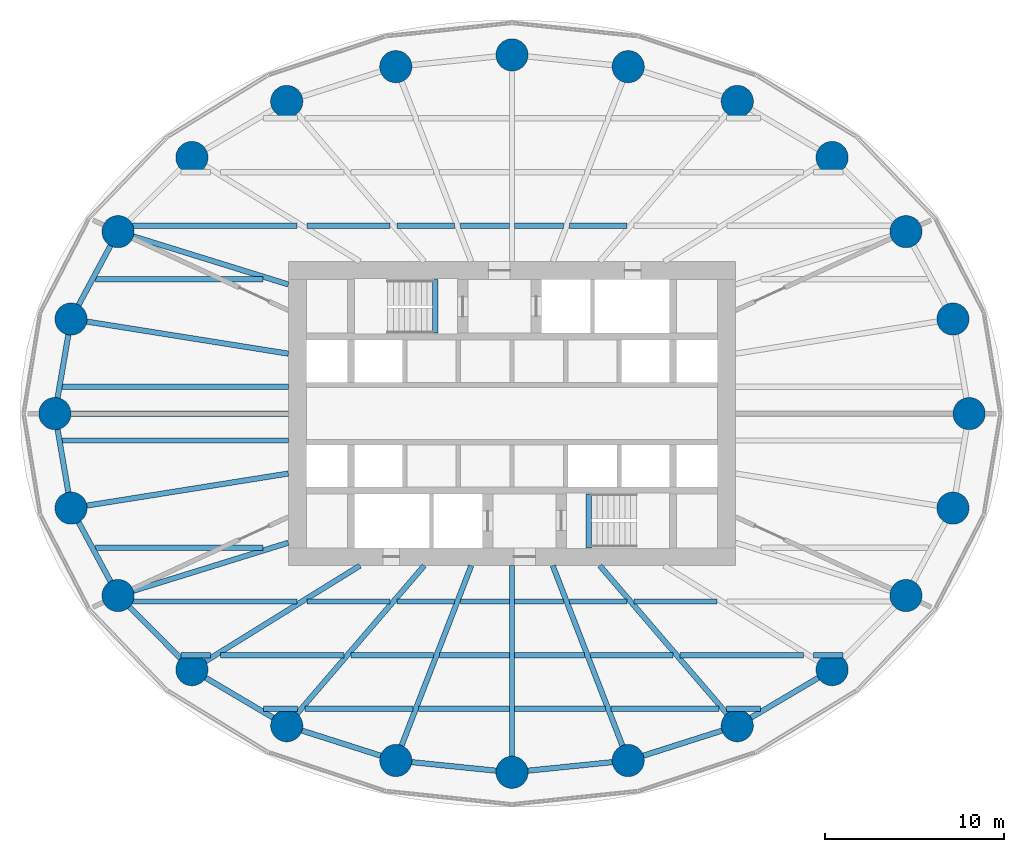
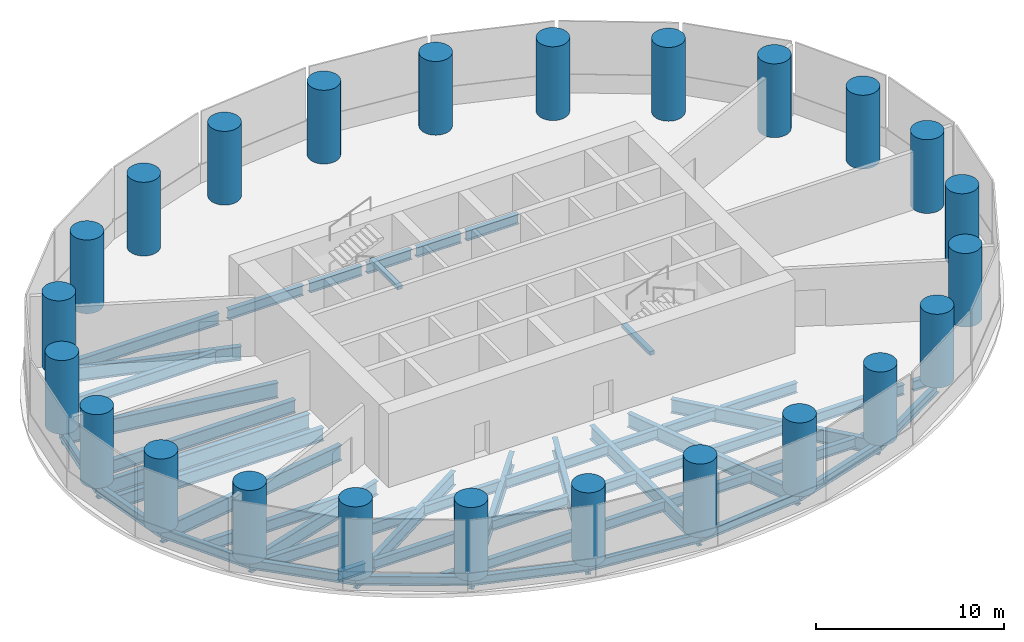
# One storey, part 1 of 5: 55 beams, 24 columns.
"""IFC4 building model written with IfcOpenShell, lengths in metres."""

from ifc_helpers import new_model, si_unit, direction, frame, origin, origin_2d, place, context, subcontext, project, spatial, rectangle, circle, i_section, extrude, material, material_profile, profile_set, type_object, element, save


model = new_model("IFC4")

# Units and contexts
model_context = context("Model", 3, precision=1e-05, world=origin(), true_north=direction((0.0, 1.0)))
body_context = subcontext(model_context, "Body", "Model", "MODEL_VIEW")
ifc_project = project(units=[si_unit("LENGTHUNIT", "METRE"), si_unit("AREAUNIT", "SQUARE_METRE"), si_unit("VOLUMEUNIT", "CUBIC_METRE"), si_unit("PLANEANGLEUNIT", "RADIAN"), si_unit("MASSUNIT", "GRAM", prefix="KILO")], contexts=[model_context])

# Site, building, storey
site_placement = place(None, origin())
site = spatial("IfcSite", under=ifc_project, at=site_placement, CompositionType="ELEMENT")
building_placement = place(site_placement, origin())
building = spatial("IfcBuilding", under=site, at=building_placement, Name="Hankou Lantern Tower", CompositionType="ELEMENT")
storey_placement = place(building_placement, frame((0.0, 0.0, 45.89990234375)))
storey = spatial("IfcBuildingStorey", under=building, at=storey_placement, Name="L10", CompositionType="ELEMENT", Elevation=45.89990234375)

# Columns
ifc_material_1 = material(Name="Concrete C60", Category="concrete")
ifc_material_profile_1 = material_profile(ifc_material_1, circle(Radius=0.89990234375, at=origin_2d()), Name="RC D1800")
ifc_profile_set_1 = profile_set([ifc_material_profile_1], Name="Concrete C60")
column_type = type_object("IfcColumnType", Name="TC1 PERIMETER COLUMN RC D1800", PredefinedType="COLUMN", material=ifc_profile_set_1)
for number, where, z_axis, x_axis, name in (
    (1, (25.550048828125, 0.0, 0.0), (0.0, 0.0, 1.0), (1.0, 0.0, 0.0), "Column R01 L10"),
    (2, (24.64697265625, 5.283203125, 0.0), (0.0, 0.0, 1.0), (1.0, 0.0, 0.0), "Column R02 L10"),
    (3, (22.01904296875, 10.170166015625, 0.0), (0.0, 0.0, 1.0), (1.0, 0.0, 0.0), "Column R03 L10"),
    (4, (17.891845703125, 14.3134765625, 0.0), (0.0, 0.0, 1.0), (1.0, 0.0, 0.0), "Column R04 L10"),
    (5, (12.5908203125, 17.446533203125, 0.0), (0.0, 0.0, 1.0), (1.0, 0.0, 0.0), "Column R05 L10"),
    (6, (6.494873046875, 19.391357421875, 0.0), (0.0, 0.0, 1.0), (1.0, 0.0, 0.0), "Column R06 L10"),
    (7, (0.0, 20.050048828125, 0.0), (0.0, 0.0, 1.0), (1.0, 0.0, 0.0), "Column R07 L10"),
    (8, (-6.494873046875, 19.391357421875, 0.0), (0.0, 0.0, 1.0), (1.0, 0.0, 0.0), "Column R08 L10"),
    (9, (-12.5908203125, 17.446533203125, 0.0), (0.0, 0.0, 1.0), (1.0, 0.0, 0.0), "Column R09 L10"),
    (10, (-17.891845703125, 14.3134765625, 0.0), (0.0, 0.0, 1.0), (1.0, 0.0, 0.0), "Column R10 L10"),
    (11, (-22.01904296875, 10.170166015625, 0.0), (0.0, 0.0, 1.0), (1.0, 0.0, 0.0), "Column R11 L10"),
    (12, (-24.64697265625, 5.283203125, 0.0), (0.0, 0.0, 1.0), (1.0, 0.0, 0.0), "Column R12 L10"),
    (13, (-25.550048828125, 0.0, 0.0), (0.0, 0.0, 1.0), (1.0, 0.0, 0.0), "Column R13 L10"),
    (14, (-24.64697265625, -5.283203125, 0.0), (0.0, 0.0, 1.0), (1.0, 0.0, 0.0), "Column R14 L10"),
    (15, (-22.01904296875, -10.170166015625, 0.0), (0.0, 0.0, 1.0), (1.0, 0.0, 0.0), "Column R15 L10"),
    (16, (-17.891845703125, -14.3134765625, 0.0), (0.0, 0.0, 1.0), (1.0, 0.0, 0.0), "Column R16 L10"),
    (17, (-12.5908203125, -17.446533203125, 0.0), (0.0, 0.0, 1.0), (1.0, 0.0, 0.0), "Column R17 L10"),
    (18, (-6.494873046875, -19.391357421875, 0.0), (0.0, 0.0, 1.0), (1.0, 0.0, 0.0), "Column R18 L10"),
    (19, (0.0, -20.050048828125, 0.0), (0.0, 0.0, 1.0), (1.0, 0.0, 0.0), "Column R19 L10"),
    (20, (6.494873046875, -19.391357421875, 0.0), (0.0, 0.0, 1.0), (1.0, 0.0, 0.0), "Column R20 L10"),
    (21, (12.5908203125, -17.446533203125, 0.0), (0.0, 0.0, 1.0), (1.0, 0.0, 0.0), "Column R21 L10"),
    (22, (17.891845703125, -14.3134765625, 0.0), (0.0, 0.0, 1.0), (1.0, 0.0, 0.0), "Column R22 L10"),
    (23, (22.01904296875, -10.170166015625, 0.0), (0.0, 0.0, 1.0), (1.0, 0.0, 0.0), "Column R23 L10"),
    (24, (24.64697265625, -5.283203125, 0.0), (0.0, 0.0, 1.0), (1.0, 0.0, 0.0), "Column R24 L10"),
):
    element("IfcColumn", number, at=place(storey_placement, frame(where, z_axis=z_axis, x_axis=x_axis)), inside=storey, type_object=column_type, Name=name, PredefinedType="COLUMN", context=body_context, shape_type="SweptSolid", body=[
        extrude(circle(Radius=0.89990234375, at=origin_2d()), origin(), (0.0, 0.0, 1.0), 4.800048828125),
    ])

# Beams
ifc_material_2 = material(Name="Steel Q355B", Category="steel")
ifc_material_profile_2 = material_profile(ifc_material_2, i_section(OverallWidth=0.302001953125, OverallDepth=0.593994140625, WebThickness=0.013916015625, FlangeThickness=0.02294921875, FilletRadius=0.02197265625, at=origin_2d()), Name="HM594x302x14x23")
ifc_profile_set_2 = profile_set([ifc_material_profile_2], Name="Steel Q355B")
beam_type_1 = type_object("IfcBeamType", Name="EB15 RING BEAM HM594x302x14x23", PredefinedType="SPANDREL", material=ifc_profile_set_2)
beam_1_placement = place(storey_placement, frame((-22.01904296875, 10.170166015625, -0.546875), z_axis=(-0.473609096023, -0.880735161194, 0.0), x_axis=(0.880735161194, -0.473609096023, 0.0)))
element("IfcBeam", 25, at=beam_1_placement, inside=storey, type_object=beam_type_1, Name="Ring beam R11-R12 L10", PredefinedType="SPANDREL", context=body_context, shape_type="SweptSolid", body=[
    extrude(i_section(OverallWidth=0.302001953125, OverallDepth=0.593994140625, WebThickness=0.013916015625, FlangeThickness=0.02294921875, FilletRadius=0.02197265625, at=origin_2d()), origin(), (0.0, 0.0, 1.0), 5.548828125),
])
for number, where, z_axis, x_axis, name in (
    (26, (-24.64697265625, 5.283203125, -0.546875), (-0.168489691988, -0.985703415685, 0.0), (0.985703415685, -0.168489691988, 0.0), "Ring beam R12-R13 L10"),
    (27, (-25.550048828125, 0.0, -0.546875), (0.168489691988, -0.985703415685, 0.0), (0.985703415685, 0.168489691988, 0.0), "Ring beam R13-R14 L10"),
):
    element("IfcBeam", number, at=place(storey_placement, frame(where, z_axis=z_axis, x_axis=x_axis)), inside=storey, type_object=beam_type_1, Name=name, PredefinedType="SPANDREL", context=body_context, shape_type="SweptSolid", body=[
        extrude(i_section(OverallWidth=0.302001953125, OverallDepth=0.593994140625, WebThickness=0.013916015625, FlangeThickness=0.02294921875, FilletRadius=0.02197265625, at=origin_2d()), origin(), (0.0, 0.0, 1.0), 5.35986328125),
    ])
beam_2_placement = place(storey_placement, frame((-24.64697265625, -5.283203125, -0.546875), z_axis=(0.473609096023, -0.880735161194, 0.0), x_axis=(0.880735161194, 0.473609096023, 0.0)))
element("IfcBeam", 28, at=beam_2_placement, inside=storey, type_object=beam_type_1, Name="Ring beam R14-R15 L10", PredefinedType="SPANDREL", context=body_context, shape_type="SweptSolid", body=[
    extrude(i_section(OverallWidth=0.302001953125, OverallDepth=0.593994140625, WebThickness=0.013916015625, FlangeThickness=0.02294921875, FilletRadius=0.02197265625, at=origin_2d()), origin(), (0.0, 0.0, 1.0), 5.548828125),
])
beam_3_placement = place(storey_placement, frame((-22.01904296875, -10.170166015625, -0.546875), z_axis=(0.705727798394, -0.708483079949, 0.0), x_axis=(0.708483079949, 0.705727798394, 0.0)))
element("IfcBeam", 29, at=beam_3_placement, inside=storey, type_object=beam_type_1, Name="Ring beam R15-R16 L10", PredefinedType="SPANDREL", context=body_context, shape_type="SweptSolid", body=[
    extrude(i_section(OverallWidth=0.302001953125, OverallDepth=0.593994140625, WebThickness=0.013916015625, FlangeThickness=0.02294921875, FilletRadius=0.02197265625, at=origin_2d()), origin(), (0.0, 0.0, 1.0), 5.84814453125),
])
beam_4_placement = place(storey_placement, frame((-17.891845703125, -14.3134765625, -0.546875), z_axis=(0.860881533543, -0.508805449268, 0.0), x_axis=(0.508805449268, 0.860881533543, 0.0)))
element("IfcBeam", 30, at=beam_4_placement, inside=storey, type_object=beam_type_1, Name="Ring beam R16-R17 L10", PredefinedType="SPANDREL", context=body_context, shape_type="SweptSolid", body=[
    extrude(i_section(OverallWidth=0.302001953125, OverallDepth=0.593994140625, WebThickness=0.013916015625, FlangeThickness=0.02294921875, FilletRadius=0.02197265625, at=origin_2d()), origin(), (0.0, 0.0, 1.0), 6.15771484375),
])
beam_5_placement = place(storey_placement, frame((-12.5908203125, -17.446533203125, -0.546875), z_axis=(0.952690479428, -0.303942182671, 0.0), x_axis=(0.303942182671, 0.952690479428, 0.0)))
element("IfcBeam", 31, at=beam_5_placement, inside=storey, type_object=beam_type_1, Name="Ring beam R17-R18 L10", PredefinedType="SPANDREL", context=body_context, shape_type="SweptSolid", body=[
    extrude(i_section(OverallWidth=0.302001953125, OverallDepth=0.593994140625, WebThickness=0.013916015625, FlangeThickness=0.02294921875, FilletRadius=0.02197265625, at=origin_2d()), origin(), (0.0, 0.0, 1.0), 6.398681640625),
])
for number, where, z_axis, x_axis, name in (
    (32, (-6.494873046875, -19.391357421875, -0.546875), (0.994896616842, -0.100899562915, 0.0), (0.100899562915, 0.994896616842, 0.0), "Ring beam R18-R19 L10"),
    (33, (0.0, -20.050048828125, -0.546875), (0.994896616842, 0.100899562915, 0.0), (-0.100899562915, 0.994896616842, 0.0), "Ring beam R19-R20 L10"),
):
    element("IfcBeam", number, at=place(storey_placement, frame(where, z_axis=z_axis, x_axis=x_axis)), inside=storey, type_object=beam_type_1, Name=name, PredefinedType="SPANDREL", context=body_context, shape_type="SweptSolid", body=[
        extrude(i_section(OverallWidth=0.302001953125, OverallDepth=0.593994140625, WebThickness=0.013916015625, FlangeThickness=0.02294921875, FilletRadius=0.02197265625, at=origin_2d()), origin(), (0.0, 0.0, 1.0), 6.528076171875),
    ])
beam_6_placement = place(storey_placement, frame((6.494873046875, -19.391357421875, -0.546875), z_axis=(0.952690479428, 0.303942182671, 0.0), x_axis=(-0.303942182671, 0.952690479428, 0.0)))
element("IfcBeam", 34, at=beam_6_placement, inside=storey, type_object=beam_type_1, Name="Ring beam R20-R21 L10", PredefinedType="SPANDREL", context=body_context, shape_type="SweptSolid", body=[
    extrude(i_section(OverallWidth=0.302001953125, OverallDepth=0.593994140625, WebThickness=0.013916015625, FlangeThickness=0.02294921875, FilletRadius=0.02197265625, at=origin_2d()), origin(), (0.0, 0.0, 1.0), 6.398681640625),
])
beam_7_placement = place(storey_placement, frame((12.5908203125, -17.446533203125, -0.546875), z_axis=(0.860881533543, 0.508805449268, 0.0), x_axis=(-0.508805449268, 0.860881533543, 0.0)))
element("IfcBeam", 35, at=beam_7_placement, inside=storey, type_object=beam_type_1, Name="Ring beam R21-R22 L10", PredefinedType="SPANDREL", context=body_context, shape_type="SweptSolid", body=[
    extrude(i_section(OverallWidth=0.302001953125, OverallDepth=0.593994140625, WebThickness=0.013916015625, FlangeThickness=0.02294921875, FilletRadius=0.02197265625, at=origin_2d()), origin(), (0.0, 0.0, 1.0), 6.15771484375),
])
ifc_material_3 = material(Name="Concrete C40", Category="concrete")
ifc_material_profile_3 = material_profile(ifc_material_3, rectangle(XDim=0.300048828125, YDim=0.25, at=origin_2d()), Name="RC 300x250")
ifc_profile_set_3 = profile_set([ifc_material_profile_3], Name="Concrete C40")
beam_type_2 = type_object("IfcBeamType", Name="LB1 STAIR LANDING BEAM RC 300x250", PredefinedType="BEAM", material=ifc_profile_set_3)
for number, where, z_axis, x_axis, name in (
    (36, (-4.300048828125, 4.5, 2.275146484375), (0.0, 1.0, 0.0), (-1.0, 0.0, 0.0), "Stair STA landing beam L10"),
    (37, (4.300048828125, -4.5, 2.275146484375), (0.0, -1.0, 0.0), (1.0, 0.0, 0.0), "Stair STB landing beam L10"),
):
    element("IfcBeam", number, at=place(storey_placement, frame(where, z_axis=z_axis, x_axis=x_axis)), inside=storey, type_object=beam_type_2, Name=name, PredefinedType="BEAM", context=body_context, shape_type="SweptSolid", body=[
        extrude(rectangle(XDim=0.300048828125, YDim=0.25, at=origin_2d()), origin(), (0.0, 0.0, 1.0), 3.0),
    ])
ifc_material_4 = material(Name="Steel Q355B", Category="steel")
ifc_material_profile_4 = material_profile(ifc_material_4, i_section(OverallWidth=0.300048828125, OverallDepth=0.89990234375, WebThickness=0.01611328125, FlangeThickness=0.028076171875, FilletRadius=0.01806640625, at=origin_2d()), Name="HN900x300x16x28")
ifc_profile_set_4 = profile_set([ifc_material_profile_4], Name="Steel Q355B")
beam_type_3 = type_object("IfcBeamType", Name="RB13 RADIAL BEAM HN900x300x16x28", PredefinedType="BEAM", material=ifc_profile_set_4)
for number, where, z_axis, x_axis, name in (
    (38, (-12.5, 7.216796875, -0.699951171875), (-0.955087327755, 0.29632447817, 0.0), (-0.29632447817, -0.955087327755, 0.0), "Radial beam R11 L10"),
    (39, (-12.5, -7.216796875, -0.699951171875), (-0.955087327755, -0.29632447817, 0.0), (0.29632447817, -0.955087327755, 0.0), "Radial beam R15 L10"),
):
    element("IfcBeam", number, at=place(storey_placement, frame(where, z_axis=z_axis, x_axis=x_axis)), inside=storey, type_object=beam_type_3, Name=name, PredefinedType="BEAM", context=body_context, shape_type="SweptSolid", body=[
        extrude(i_section(OverallWidth=0.300048828125, OverallDepth=0.89990234375, WebThickness=0.01611328125, FlangeThickness=0.028076171875, FilletRadius=0.01806640625, at=origin_2d()), origin(), (0.0, 0.0, 1.0), 9.966552734375),
    ])
beam_8_placement = place(storey_placement, frame((-8.5, -8.5, -0.699951171875), z_axis=(-0.850286343288, -0.526320372414, 0.0), x_axis=(0.526320372414, -0.850286343288, 0.0)))
element("IfcBeam", 40, at=beam_8_placement, inside=storey, type_object=beam_type_3, Name="Radial beam R16 L10", PredefinedType="BEAM", context=body_context, shape_type="SweptSolid", body=[
    extrude(i_section(OverallWidth=0.300048828125, OverallDepth=0.89990234375, WebThickness=0.01611328125, FlangeThickness=0.028076171875, FilletRadius=0.01806640625, at=origin_2d()), origin(), (0.0, 0.0, 1.0), 11.04541015625),
])
beam_9_placement = place(storey_placement, frame((-4.907470703125, -8.5, -0.699951171875), z_axis=(-0.651519061225, -0.758632264579, 0.0), x_axis=(0.758632264579, -0.651519061225, 0.0)))
element("IfcBeam", 41, at=beam_9_placement, inside=storey, type_object=beam_type_3, Name="Radial beam R17 L10", PredefinedType="BEAM", context=body_context, shape_type="SweptSolid", body=[
    extrude(i_section(OverallWidth=0.300048828125, OverallDepth=0.89990234375, WebThickness=0.01611328125, FlangeThickness=0.028076171875, FilletRadius=0.01806640625, at=origin_2d()), origin(), (0.0, 0.0, 1.0), 11.79296875),
])
beam_10_placement = place(storey_placement, frame((-2.277587890625, -8.5, -0.699951171875), z_axis=(-0.361089103374, -0.932531318201, 0.0), x_axis=(0.932531318201, -0.361089103374, 0.0)))
element("IfcBeam", 42, at=beam_10_placement, inside=storey, type_object=beam_type_3, Name="Radial beam R18 L10", PredefinedType="BEAM", context=body_context, shape_type="SweptSolid", body=[
    extrude(i_section(OverallWidth=0.300048828125, OverallDepth=0.89990234375, WebThickness=0.01611328125, FlangeThickness=0.028076171875, FilletRadius=0.01806640625, at=origin_2d()), origin(), (0.0, 0.0, 1.0), 11.679443359375),
])
beam_11_placement = place(storey_placement, frame((0.0, -8.5, -0.699951171875), z_axis=(0.0, -1.0, 0.0), x_axis=(1.0, 0.0, 0.0)))
element("IfcBeam", 43, at=beam_11_placement, inside=storey, type_object=beam_type_3, Name="Radial beam R19 L10", PredefinedType="BEAM", context=body_context, shape_type="SweptSolid", body=[
    extrude(i_section(OverallWidth=0.300048828125, OverallDepth=0.89990234375, WebThickness=0.01611328125, FlangeThickness=0.028076171875, FilletRadius=0.01806640625, at=origin_2d()), origin(), (0.0, 0.0, 1.0), 11.550048828125),
])
beam_12_placement = place(storey_placement, frame((2.277587890625, -8.5, -0.699951171875), z_axis=(0.361089103374, -0.932531318201, 0.0), x_axis=(0.932531318201, 0.361089103374, 0.0)))
element("IfcBeam", 44, at=beam_12_placement, inside=storey, type_object=beam_type_3, Name="Radial beam R20 L10", PredefinedType="BEAM", context=body_context, shape_type="SweptSolid", body=[
    extrude(i_section(OverallWidth=0.300048828125, OverallDepth=0.89990234375, WebThickness=0.01611328125, FlangeThickness=0.028076171875, FilletRadius=0.01806640625, at=origin_2d()), origin(), (0.0, 0.0, 1.0), 11.679443359375),
])
beam_13_placement = place(storey_placement, frame((4.907470703125, -8.5, -0.699951171875), z_axis=(0.651519061225, -0.758632264579, 0.0), x_axis=(0.758632264579, 0.651519061225, 0.0)))
element("IfcBeam", 45, at=beam_13_placement, inside=storey, type_object=beam_type_3, Name="Radial beam R21 L10", PredefinedType="BEAM", context=body_context, shape_type="SweptSolid", body=[
    extrude(i_section(OverallWidth=0.300048828125, OverallDepth=0.89990234375, WebThickness=0.01611328125, FlangeThickness=0.028076171875, FilletRadius=0.01806640625, at=origin_2d()), origin(), (0.0, 0.0, 1.0), 11.79296875),
])
ifc_material_5 = material(Name="Steel Q355B", Category="steel")
ifc_material_profile_5 = material_profile(ifc_material_5, i_section(OverallWidth=0.300048828125, OverallDepth=1.0, WebThickness=0.01904296875, FlangeThickness=0.035888671875, FilletRadius=0.01806640625, at=origin_2d()), Name="HN1000x300x19x36")
ifc_profile_set_5 = profile_set([ifc_material_profile_5], Name="Steel Q355B")
beam_type_4 = type_object("IfcBeamType", Name="RB22 RADIAL BEAM HN1000x300x19x36", PredefinedType="BEAM", material=ifc_profile_set_5)
beam_14_placement = place(storey_placement, frame((-12.5, 3.349365234375, -0.75), z_axis=(-0.987563081343, 0.157223281893, 0.0), x_axis=(-0.157223281893, -0.987563081343, 0.0)))
element("IfcBeam", 46, at=beam_14_placement, inside=storey, type_object=beam_type_4, Name="Radial beam R12 L10", PredefinedType="BEAM", context=body_context, shape_type="SweptSolid", body=[
    extrude(i_section(OverallWidth=0.300048828125, OverallDepth=1.0, WebThickness=0.01904296875, FlangeThickness=0.035888671875, FilletRadius=0.01806640625, at=origin_2d()), origin(), (0.0, 0.0, 1.0), 12.300048828125),
])
beam_15_placement = place(storey_placement, frame((-12.5, 0.0, -0.75), z_axis=(-1.0, 0.0, 0.0), x_axis=(0.0, -1.0, 0.0)))
element("IfcBeam", 47, at=beam_15_placement, inside=storey, type_object=beam_type_4, Name="Radial beam R13 L10", PredefinedType="BEAM", context=body_context, shape_type="SweptSolid", body=[
    extrude(i_section(OverallWidth=0.300048828125, OverallDepth=1.0, WebThickness=0.01904296875, FlangeThickness=0.035888671875, FilletRadius=0.01806640625, at=origin_2d()), origin(), (0.0, 0.0, 1.0), 13.050048828125),
])
beam_16_placement = place(storey_placement, frame((-12.5, -3.349365234375, -0.75), z_axis=(-0.987563081343, -0.157223281893, 0.0), x_axis=(0.157223281893, -0.987563081343, 0.0)))
element("IfcBeam", 48, at=beam_16_placement, inside=storey, type_object=beam_type_4, Name="Radial beam R14 L10", PredefinedType="BEAM", context=body_context, shape_type="SweptSolid", body=[
    extrude(i_section(OverallWidth=0.300048828125, OverallDepth=1.0, WebThickness=0.01904296875, FlangeThickness=0.035888671875, FilletRadius=0.01806640625, at=origin_2d()), origin(), (0.0, 0.0, 1.0), 12.300048828125),
])
ifc_material_6 = material(Name="Steel Q355B", Category="steel")
ifc_material_profile_6 = material_profile(ifc_material_6, i_section(OverallWidth=0.300048828125, OverallDepth=0.75, WebThickness=0.012939453125, FlangeThickness=0.02392578125, FilletRadius=0.01806640625, at=origin_2d()), Name="HN750x300x13x24")
ifc_profile_set_6 = profile_set([ifc_material_profile_6], Name="Steel Q355B")
beam_type_5 = type_object("IfcBeamType", Name="SB10 SECONDARY BEAM HN750x300x13x24", PredefinedType="JOIST", material=ifc_profile_set_6)
beam_17_placement = place(storey_placement, frame((-21.477294921875, -10.5, -0.625), z_axis=(1.0, 0.0, 0.0), x_axis=(0.0, 1.0, 0.0)))
element("IfcBeam", 49, at=beam_17_placement, inside=storey, type_object=beam_type_5, Name="Floor joist J015 L10", PredefinedType="JOIST", context=body_context, shape_type="SweptSolid", body=[
    extrude(i_section(OverallWidth=0.300048828125, OverallDepth=0.75, WebThickness=0.012939453125, FlangeThickness=0.02392578125, FilletRadius=0.01806640625, at=origin_2d()), origin(), (0.0, 0.0, 1.0), 9.461181640625),
])
for number, where, z_axis, x_axis, name in (
    (50, (-23.283447265625, -7.5, -0.625), (1.0, 0.0, 0.0), (0.0, 1.0, 0.0), "Floor joist J023 L10"),
    (51, (-23.283447265625, 7.5, -0.625), (1.0, 0.0, 0.0), (0.0, 1.0, 0.0), "Floor joist J037 L10"),
):
    element("IfcBeam", number, at=place(storey_placement, frame(where, z_axis=z_axis, x_axis=x_axis)), inside=storey, type_object=beam_type_5, Name=name, PredefinedType="JOIST", context=body_context, shape_type="SweptSolid", body=[
        extrude(i_section(OverallWidth=0.300048828125, OverallDepth=0.75, WebThickness=0.012939453125, FlangeThickness=0.02392578125, FilletRadius=0.01806640625, at=origin_2d()), origin(), (0.0, 0.0, 1.0), 9.36474609375),
    ])
beam_18_placement = place(storey_placement, frame((-21.477294921875, 10.5, -0.625), z_axis=(1.0, 0.0, 0.0), x_axis=(0.0, 1.0, 0.0)))
element("IfcBeam", 52, at=beam_18_placement, inside=storey, type_object=beam_type_5, Name="Floor joist J039 L10", PredefinedType="JOIST", context=body_context, shape_type="SweptSolid", body=[
    extrude(i_section(OverallWidth=0.300048828125, OverallDepth=0.75, WebThickness=0.012939453125, FlangeThickness=0.02392578125, FilletRadius=0.01806640625, at=origin_2d()), origin(), (0.0, 0.0, 1.0), 9.461181640625),
])
ifc_material_7 = material(Name="Steel Q355B", Category="steel")
ifc_material_profile_7 = material_profile(ifc_material_7, i_section(OverallWidth=0.300048828125, OverallDepth=0.85009765625, WebThickness=0.01611328125, FlangeThickness=0.027099609375, FilletRadius=0.01806640625, at=origin_2d()), Name="HN850x300x16x27")
ifc_profile_set_7 = profile_set([ifc_material_profile_7], Name="Steel Q355B")
beam_type_6 = type_object("IfcBeamType", Name="SB12 SECONDARY BEAM HN850x300x16x27", PredefinedType="JOIST", material=ifc_profile_set_7)
for number, where, z_axis, x_axis, name in (
    (53, (-25.140380859375, -1.5, -0.6748046875), (1.0, 0.0, 0.0), (0.0, 1.0, 0.0), "Floor joist J029 L10"),
    (54, (-25.140380859375, 1.5, -0.6748046875), (1.0, 0.0, 0.0), (0.0, 1.0, 0.0), "Floor joist J031 L10"),
):
    element("IfcBeam", number, at=place(storey_placement, frame(where, z_axis=z_axis, x_axis=x_axis)), inside=storey, type_object=beam_type_6, Name=name, PredefinedType="JOIST", context=body_context, shape_type="SweptSolid", body=[
        extrude(i_section(OverallWidth=0.300048828125, OverallDepth=0.85009765625, WebThickness=0.01611328125, FlangeThickness=0.027099609375, FilletRadius=0.01806640625, at=origin_2d()), origin(), (0.0, 0.0, 1.0), 12.640380859375),
    ])
ifc_material_8 = material(Name="Steel Q355B", Category="steel")
ifc_material_profile_8 = material_profile(ifc_material_8, i_section(OverallWidth=0.300048828125, OverallDepth=0.64990234375, WebThickness=0.010986328125, FlangeThickness=0.01708984375, FilletRadius=0.01806640625, at=origin_2d()), Name="HN650x300x11x17")
ifc_profile_set_8 = profile_set([ifc_material_profile_8], Name="Steel Q355B")
beam_type_7 = type_object("IfcBeamType", Name="SB8 SECONDARY BEAM HN650x300x11x17", PredefinedType="JOIST", material=ifc_profile_set_8)
beam_19_placement = place(storey_placement, frame((-13.8955078125, -16.5, -0.574951171875), z_axis=(1.0, 0.0, 0.0), x_axis=(0.0, 1.0, 0.0)))
element("IfcBeam", 55, at=beam_19_placement, inside=storey, type_object=beam_type_7, Name="Floor joist J001 L10", PredefinedType="JOIST", context=body_context, shape_type="SweptSolid", body=[
    extrude(i_section(OverallWidth=0.300048828125, OverallDepth=0.64990234375, WebThickness=0.010986328125, FlangeThickness=0.01708984375, FilletRadius=0.01806640625, at=origin_2d()), origin(), (0.0, 0.0, 1.0), 1.919677734375),
])
beam_20_placement = place(storey_placement, frame((-11.580322265625, -16.5, -0.574951171875), z_axis=(1.0, 0.0, 0.0), x_axis=(0.0, 1.0, 0.0)))
element("IfcBeam", 56, at=beam_20_placement, inside=storey, type_object=beam_type_7, Name="Floor joist J002 L10", PredefinedType="JOIST", context=body_context, shape_type="SweptSolid", body=[
    extrude(i_section(OverallWidth=0.300048828125, OverallDepth=0.64990234375, WebThickness=0.010986328125, FlangeThickness=0.01708984375, FilletRadius=0.01806640625, at=origin_2d()), origin(), (0.0, 0.0, 1.0), 6.044189453125),
])
for number, where, z_axis, x_axis, name in (
    (57, (-5.21435546875, -16.5, -0.574951171875), (1.0, 0.0, 0.0), (0.0, 1.0, 0.0), "Floor joist J003 L10"),
    (58, (0.14990234375, -16.5, -0.574951171875), (1.0, 0.0, 0.0), (0.0, 1.0, 0.0), "Floor joist J004 L10"),
):
    element("IfcBeam", number, at=place(storey_placement, frame(where, z_axis=z_axis, x_axis=x_axis)), inside=storey, type_object=beam_type_7, Name=name, PredefinedType="JOIST", context=body_context, shape_type="SweptSolid", body=[
        extrude(i_section(OverallWidth=0.300048828125, OverallDepth=0.64990234375, WebThickness=0.010986328125, FlangeThickness=0.01708984375, FilletRadius=0.01806640625, at=origin_2d()), origin(), (0.0, 0.0, 1.0), 5.064453125),
    ])
beam_21_placement = place(storey_placement, frame((5.5361328125, -16.5, -0.574951171875), z_axis=(1.0, 0.0, 0.0), x_axis=(0.0, 1.0, 0.0)))
element("IfcBeam", 59, at=beam_21_placement, inside=storey, type_object=beam_type_7, Name="Floor joist J005 L10", PredefinedType="JOIST", context=body_context, shape_type="SweptSolid", body=[
    extrude(i_section(OverallWidth=0.300048828125, OverallDepth=0.64990234375, WebThickness=0.010986328125, FlangeThickness=0.01708984375, FilletRadius=0.01806640625, at=origin_2d()), origin(), (0.0, 0.0, 1.0), 6.044189453125),
])
beam_22_placement = place(storey_placement, frame((11.975830078125, -16.5, -0.574951171875), z_axis=(1.0, 0.0, 0.0), x_axis=(0.0, 1.0, 0.0)))
element("IfcBeam", 60, at=beam_22_placement, inside=storey, type_object=beam_type_7, Name="Floor joist J006 L10", PredefinedType="JOIST", context=body_context, shape_type="SweptSolid", body=[
    extrude(i_section(OverallWidth=0.300048828125, OverallDepth=0.64990234375, WebThickness=0.010986328125, FlangeThickness=0.01708984375, FilletRadius=0.01806640625, at=origin_2d()), origin(), (0.0, 0.0, 1.0), 1.919677734375),
])
beam_23_placement = place(storey_placement, frame((-18.48876953125, -13.5, -0.574951171875), z_axis=(1.0, 0.0, 0.0), x_axis=(0.0, 1.0, 0.0)))
element("IfcBeam", 61, at=beam_23_placement, inside=storey, type_object=beam_type_7, Name="Floor joist J007 L10", PredefinedType="JOIST", context=body_context, shape_type="SweptSolid", body=[
    extrude(i_section(OverallWidth=0.300048828125, OverallDepth=0.64990234375, WebThickness=0.010986328125, FlangeThickness=0.01708984375, FilletRadius=0.01806640625, at=origin_2d()), origin(), (0.0, 0.0, 1.0), 1.6259765625),
])
beam_24_placement = place(storey_placement, frame((-16.292724609375, -13.5, -0.574951171875), z_axis=(1.0, 0.0, 0.0), x_axis=(0.0, 1.0, 0.0)))
element("IfcBeam", 62, at=beam_24_placement, inside=storey, type_object=beam_type_7, Name="Floor joist J008 L10", PredefinedType="JOIST", context=body_context, shape_type="SweptSolid", body=[
    extrude(i_section(OverallWidth=0.300048828125, OverallDepth=0.64990234375, WebThickness=0.010986328125, FlangeThickness=0.01708984375, FilletRadius=0.01806640625, at=origin_2d()), origin(), (0.0, 0.0, 1.0), 6.893310546875),
])
beam_25_placement = place(storey_placement, frame((-9.00390625, -13.5, -0.574951171875), z_axis=(1.0, 0.0, 0.0), x_axis=(0.0, 1.0, 0.0)))
element("IfcBeam", 63, at=beam_25_placement, inside=storey, type_object=beam_type_7, Name="Floor joist J009 L10", PredefinedType="JOIST", context=body_context, shape_type="SweptSolid", body=[
    extrude(i_section(OverallWidth=0.300048828125, OverallDepth=0.64990234375, WebThickness=0.010986328125, FlangeThickness=0.01708984375, FilletRadius=0.01806640625, at=origin_2d()), origin(), (0.0, 0.0, 1.0), 4.62939453125),
])
for number, where, z_axis, x_axis, name in (
    (64, (-4.052734375, -13.5, -0.574951171875), (1.0, 0.0, 0.0), (0.0, 1.0, 0.0), "Floor joist J010 L10"),
    (65, (0.14990234375, -13.5, -0.574951171875), (1.0, 0.0, 0.0), (0.0, 1.0, 0.0), "Floor joist J011 L10"),
):
    element("IfcBeam", number, at=place(storey_placement, frame(where, z_axis=z_axis, x_axis=x_axis)), inside=storey, type_object=beam_type_7, Name=name, PredefinedType="JOIST", context=body_context, shape_type="SweptSolid", body=[
        extrude(i_section(OverallWidth=0.300048828125, OverallDepth=0.64990234375, WebThickness=0.010986328125, FlangeThickness=0.01708984375, FilletRadius=0.01806640625, at=origin_2d()), origin(), (0.0, 0.0, 1.0), 3.90283203125),
    ])
beam_26_placement = place(storey_placement, frame((4.37451171875, -13.5, -0.574951171875), z_axis=(1.0, 0.0, 0.0), x_axis=(0.0, 1.0, 0.0)))
element("IfcBeam", 66, at=beam_26_placement, inside=storey, type_object=beam_type_7, Name="Floor joist J012 L10", PredefinedType="JOIST", context=body_context, shape_type="SweptSolid", body=[
    extrude(i_section(OverallWidth=0.300048828125, OverallDepth=0.64990234375, WebThickness=0.010986328125, FlangeThickness=0.01708984375, FilletRadius=0.01806640625, at=origin_2d()), origin(), (0.0, 0.0, 1.0), 4.62939453125),
])
beam_27_placement = place(storey_placement, frame((9.3994140625, -13.5, -0.574951171875), z_axis=(1.0, 0.0, 0.0), x_axis=(0.0, 1.0, 0.0)))
element("IfcBeam", 67, at=beam_27_placement, inside=storey, type_object=beam_type_7, Name="Floor joist J013 L10", PredefinedType="JOIST", context=body_context, shape_type="SweptSolid", body=[
    extrude(i_section(OverallWidth=0.300048828125, OverallDepth=0.64990234375, WebThickness=0.010986328125, FlangeThickness=0.01708984375, FilletRadius=0.01806640625, at=origin_2d()), origin(), (0.0, 0.0, 1.0), 6.893310546875),
])
beam_28_placement = place(storey_placement, frame((16.86279296875, -13.5, -0.574951171875), z_axis=(1.0, 0.0, 0.0), x_axis=(0.0, 1.0, 0.0)))
element("IfcBeam", 68, at=beam_28_placement, inside=storey, type_object=beam_type_7, Name="Floor joist J014 L10", PredefinedType="JOIST", context=body_context, shape_type="SweptSolid", body=[
    extrude(i_section(OverallWidth=0.300048828125, OverallDepth=0.64990234375, WebThickness=0.010986328125, FlangeThickness=0.01708984375, FilletRadius=0.01806640625, at=origin_2d()), origin(), (0.0, 0.0, 1.0), 1.6259765625),
])
beam_29_placement = place(storey_placement, frame((-11.446044921875, -10.5, -0.574951171875), z_axis=(1.0, 0.0, 0.0), x_axis=(0.0, 1.0, 0.0)))
element("IfcBeam", 69, at=beam_29_placement, inside=storey, type_object=beam_type_7, Name="Floor joist J016 L10", PredefinedType="JOIST", context=body_context, shape_type="SweptSolid", body=[
    extrude(i_section(OverallWidth=0.300048828125, OverallDepth=0.64990234375, WebThickness=0.010986328125, FlangeThickness=0.01708984375, FilletRadius=0.01806640625, at=origin_2d()), origin(), (0.0, 0.0, 1.0), 4.623291015625),
])
beam_30_placement = place(storey_placement, frame((-6.427490234375, -10.5, -0.574951171875), z_axis=(1.0, 0.0, 0.0), x_axis=(0.0, 1.0, 0.0)))
element("IfcBeam", 70, at=beam_30_placement, inside=storey, type_object=beam_type_7, Name="Floor joist J017 L10", PredefinedType="JOIST", context=body_context, shape_type="SweptSolid", body=[
    extrude(i_section(OverallWidth=0.300048828125, OverallDepth=0.64990234375, WebThickness=0.010986328125, FlangeThickness=0.01708984375, FilletRadius=0.01806640625, at=origin_2d()), origin(), (0.0, 0.0, 1.0), 3.214599609375),
])
for number, where, z_axis, x_axis, name in (
    (71, (-2.89111328125, -10.5, -0.574951171875), (1.0, 0.0, 0.0), (0.0, 1.0, 0.0), "Floor joist J018 L10"),
    (72, (0.14990234375, -10.5, -0.574951171875), (1.0, 0.0, 0.0), (0.0, 1.0, 0.0), "Floor joist J019 L10"),
):
    element("IfcBeam", number, at=place(storey_placement, frame(where, z_axis=z_axis, x_axis=x_axis)), inside=storey, type_object=beam_type_7, Name=name, PredefinedType="JOIST", context=body_context, shape_type="SweptSolid", body=[
        extrude(i_section(OverallWidth=0.300048828125, OverallDepth=0.64990234375, WebThickness=0.010986328125, FlangeThickness=0.01708984375, FilletRadius=0.01806640625, at=origin_2d()), origin(), (0.0, 0.0, 1.0), 2.7412109375),
    ])
beam_31_placement = place(storey_placement, frame((3.212890625, -10.5, -0.574951171875), z_axis=(1.0, 0.0, 0.0), x_axis=(0.0, 1.0, 0.0)))
element("IfcBeam", 73, at=beam_31_placement, inside=storey, type_object=beam_type_7, Name="Floor joist J020 L10", PredefinedType="JOIST", context=body_context, shape_type="SweptSolid", body=[
    extrude(i_section(OverallWidth=0.300048828125, OverallDepth=0.64990234375, WebThickness=0.010986328125, FlangeThickness=0.01708984375, FilletRadius=0.01806640625, at=origin_2d()), origin(), (0.0, 0.0, 1.0), 3.214599609375),
])
for number, where, z_axis, x_axis, name in (
    (74, (6.82275390625, -10.5, -0.574951171875), (1.0, 0.0, 0.0), (0.0, 1.0, 0.0), "Floor joist J021 L10"),
    (75, (-11.446044921875, 10.5, -0.574951171875), (1.0, 0.0, 0.0), (0.0, 1.0, 0.0), "Floor joist J040 L10"),
):
    element("IfcBeam", number, at=place(storey_placement, frame(where, z_axis=z_axis, x_axis=x_axis)), inside=storey, type_object=beam_type_7, Name=name, PredefinedType="JOIST", context=body_context, shape_type="SweptSolid", body=[
        extrude(i_section(OverallWidth=0.300048828125, OverallDepth=0.64990234375, WebThickness=0.010986328125, FlangeThickness=0.01708984375, FilletRadius=0.01806640625, at=origin_2d()), origin(), (0.0, 0.0, 1.0), 4.623291015625),
    ])
beam_32_placement = place(storey_placement, frame((-6.427490234375, 10.5, -0.574951171875), z_axis=(1.0, 0.0, 0.0), x_axis=(0.0, 1.0, 0.0)))
element("IfcBeam", 76, at=beam_32_placement, inside=storey, type_object=beam_type_7, Name="Floor joist J041 L10", PredefinedType="JOIST", context=body_context, shape_type="SweptSolid", body=[
    extrude(i_section(OverallWidth=0.300048828125, OverallDepth=0.64990234375, WebThickness=0.010986328125, FlangeThickness=0.01708984375, FilletRadius=0.01806640625, at=origin_2d()), origin(), (0.0, 0.0, 1.0), 3.214599609375),
])
for number, where, z_axis, x_axis, name in (
    (77, (-2.89111328125, 10.5, -0.574951171875), (1.0, 0.0, 0.0), (0.0, 1.0, 0.0), "Floor joist J042 L10"),
    (78, (0.14990234375, 10.5, -0.574951171875), (1.0, 0.0, 0.0), (0.0, 1.0, 0.0), "Floor joist J043 L10"),
):
    element("IfcBeam", number, at=place(storey_placement, frame(where, z_axis=z_axis, x_axis=x_axis)), inside=storey, type_object=beam_type_7, Name=name, PredefinedType="JOIST", context=body_context, shape_type="SweptSolid", body=[
        extrude(i_section(OverallWidth=0.300048828125, OverallDepth=0.64990234375, WebThickness=0.010986328125, FlangeThickness=0.01708984375, FilletRadius=0.01806640625, at=origin_2d()), origin(), (0.0, 0.0, 1.0), 2.7412109375),
    ])
beam_33_placement = place(storey_placement, frame((3.212890625, 10.5, -0.574951171875), z_axis=(1.0, 0.0, 0.0), x_axis=(0.0, 1.0, 0.0)))
element("IfcBeam", 79, at=beam_33_placement, inside=storey, type_object=beam_type_7, Name="Floor joist J044 L10", PredefinedType="JOIST", context=body_context, shape_type="SweptSolid", body=[
    extrude(i_section(OverallWidth=0.300048828125, OverallDepth=0.64990234375, WebThickness=0.010986328125, FlangeThickness=0.01708984375, FilletRadius=0.01806640625, at=origin_2d()), origin(), (0.0, 0.0, 1.0), 3.214599609375),
])

save(model, "model.ifc")
